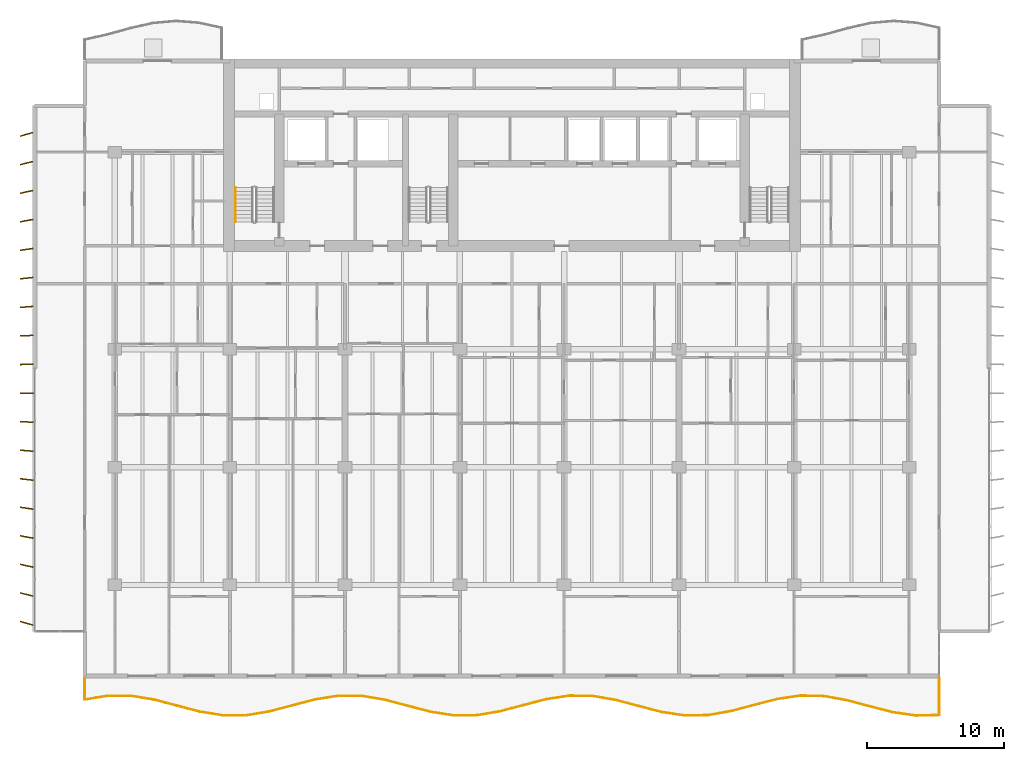
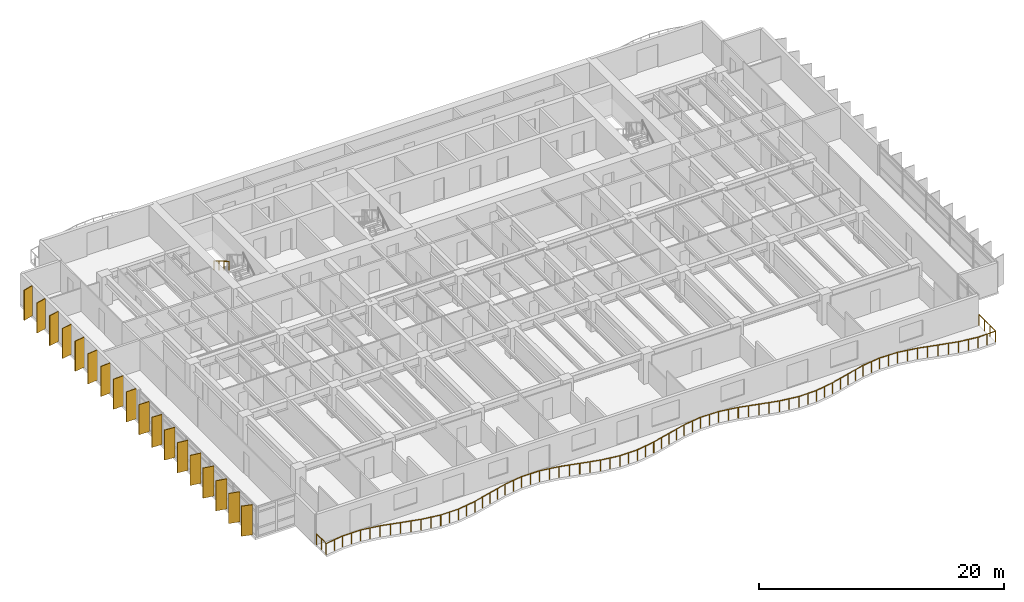
# One storey, part 13 of 16: 18 shading devices, 2 railings.
"""IFC4 building model written with IfcOpenShell, lengths in metres."""

import ifcopenshell
import ifcopenshell.guid

model = None  # the IFC model being written
_history = None  # IfcOwnerHistory: only IFC2X3 demands one
_inside = {}  # id of a spatial element -> (the spatial element, [elements in it])
_under = {}  # id of a project, library or spatial element -> (it, [spatial elements below it])
_declared = {}  # id of a project -> (the project, [libraries it declares])
_typed = {}  # id of a type object -> (the type object, [elements of that type])
_made_of = {}  # id of a material, layer set ... -> (it, [elements and type objects made of it])


def new_model(schema):
    """Start an empty IFC model of exactly this schema.

    Asked for "IFC4X3", IfcOpenShell would pick the latest addendum, in which some entities
    have other attributes; the version numbers below select the first issue.
    IFC2X3 requires an IfcOwnerHistory on every rooted entity: one is made here for all.
    """
    global model, _history
    if schema == "IFC4X3":
        model = ifcopenshell.file(schema_version=(4, 3, 0, 0))
    else:
        model = ifcopenshell.file(schema=schema)
    _inside.clear()
    _under.clear()
    _declared.clear()
    _typed.clear()
    _made_of.clear()
    _history = None
    if model.schema == "IFC2X3":
        org = make("IfcOrganization", Name="unknown")
        user = make(
            "IfcPersonAndOrganization",
            ThePerson=make("IfcPerson", FamilyName="unknown"),
            TheOrganization=org,
        )
        app = make(
            "IfcApplication",
            ApplicationDeveloper=org,
            Version="unknown",
            ApplicationFullName="unknown",
            ApplicationIdentifier="unknown",
        )
        _history = make(
            "IfcOwnerHistory",
            OwningUser=user,
            OwningApplication=app,
            ChangeAction="ADDED",
            CreationDate=0,
        )
    return model


def make(cls, **values):
    """One entity of the class cls with the attributes given. An attribute that is None is left unset."""
    return model.create_entity(
        cls, **{name: value for name, value in values.items() if value is not None}
    )


def rooted(cls, **values):
    """An entity with a GlobalId (a new one), such as an element, a storey or a relation."""
    return make(cls, GlobalId=ifcopenshell.guid.new(), OwnerHistory=_history, **values)


def si_unit(unit_type, name, prefix=None):
    """IfcSIUnit, for example si_unit("LENGTHUNIT", "METRE", prefix="MILLI")."""
    return make("IfcSIUnit", UnitType=unit_type, Prefix=prefix, Name=name)


def assignment(units):
    """IfcUnitAssignment: the units of a project."""
    return None if units is None else make("IfcUnitAssignment", Units=units)


def point(xyz):
    """IfcCartesianPoint."""
    return None if xyz is None else make("IfcCartesianPoint", Coordinates=xyz)


def direction(xyz):
    """IfcDirection."""
    return None if xyz is None else make("IfcDirection", DirectionRatios=xyz)


def frame(location, z_axis=None, x_axis=None):
    """IfcAxis2Placement3D, a coordinate frame: its origin and axes. An axis left out is left unset."""
    return make(
        "IfcAxis2Placement3D",
        Location=point(location),
        Axis=direction(z_axis),
        RefDirection=direction(x_axis),
    )


def frame_2d(location, x_axis=None):
    """IfcAxis2Placement2D, a coordinate frame in the plane: its origin and x axis."""
    return make(
        "IfcAxis2Placement2D", Location=point(location), RefDirection=direction(x_axis)
    )


def origin():
    """The frame at (0, 0, 0) with its axes left unset."""
    return frame((0.0, 0.0, 0.0))


def origin_2d():
    """The frame at (0, 0) in the plane with its x axis left unset."""
    return frame_2d((0.0, 0.0))


def place(relative_to, where):
    """IfcLocalPlacement: puts the frame where relative to a parent placement (None: the world)."""
    return make(
        "IfcLocalPlacement", PlacementRelTo=relative_to, RelativePlacement=where
    )


def context(
    kind, dimensions, precision=None, world=None, true_north=None, identifier=None
):
    """IfcGeometricRepresentationContext, for example the 3D "Model" context."""
    return make(
        "IfcGeometricRepresentationContext",
        ContextIdentifier=identifier,
        ContextType=kind,
        CoordinateSpaceDimension=dimensions,
        Precision=precision,
        WorldCoordinateSystem=world,
        TrueNorth=true_north,
    )


def subcontext(parent, identifier, kind, view, scale=None):
    """IfcGeometricRepresentationSubContext, for example "Body" below "Model"."""
    return make(
        "IfcGeometricRepresentationSubContext",
        ContextIdentifier=identifier,
        ContextType=kind,
        ParentContext=parent,
        TargetScale=scale,
        TargetView=view,
    )


def project(units=None, contexts=None):
    """IfcProject with its units and contexts."""
    return rooted(
        "IfcProject",
        Name="project",
        RepresentationContexts=contexts,
        UnitsInContext=assignment(units),
    )


def spatial(cls, under=None, at=None, **own):
    """A site, building, storey or space (cls), placed at a placement, below another one or the project."""
    s = rooted(cls, ObjectPlacement=at, **own)
    if under is not None:
        _under.setdefault(under.id(), (under, []))[1].append(s)
    return s


def profile(cls, at=None, kind="AREA", **sizes):
    """A parametric profile (cls). Its sizes go by their IFC names, for example OverallWidth=200.0."""
    return make(cls, ProfileType=kind, Position=at, **sizes)


def rectangle(**sizes):
    """IfcRectangleProfileDef."""
    return profile("IfcRectangleProfileDef", **sizes)


def circle(**sizes):
    """IfcCircleProfileDef."""
    return profile("IfcCircleProfileDef", **sizes)


def extrude(swept, where, along, depth):
    """IfcExtrudedAreaSolid: the profile swept, set in the frame where, extruded along a direction by depth."""
    return make(
        "IfcExtrudedAreaSolid",
        SweptArea=swept,
        Position=where,
        ExtrudedDirection=direction(along),
        Depth=depth,
    )


def shape(context_of_items, identifier, shape_type, items):
    """IfcShapeRepresentation: the items that make up one representation, for example the "Body"."""
    return make(
        "IfcShapeRepresentation",
        ContextOfItems=context_of_items,
        RepresentationIdentifier=identifier,
        RepresentationType=shape_type,
        Items=items,
    )


def material(Name=None, Category=None):
    """IfcMaterial."""
    return make("IfcMaterial", Name=Name, Category=Category)


def material_profile(
    of_material, cross_section, Name=None, Category=None, Priority=None
):
    """IfcMaterialProfile: a cross section and its material."""
    return make(
        "IfcMaterialProfile",
        Name=Name,
        Material=of_material,
        Profile=cross_section,
        Priority=Priority,
        Category=Category,
    )


def profile_set(profiles, Name=None, composite=None):
    """IfcMaterialProfileSet."""
    return make(
        "IfcMaterialProfileSet",
        Name=Name,
        MaterialProfiles=profiles,
        CompositeProfile=composite,
    )


def made_of(thing, what):
    """Note that an element or type object is made of a material, layer set ...; save() writes the relation."""
    if what is not None:
        _made_of.setdefault(what.id(), (what, []))[1].append(thing)
    return thing


def type_object(cls, material=None, **own):
    """A type object (cls), such as IfcWallType, which elements share."""
    return made_of(rooted(cls, **own), material)


def element(
    cls,
    number,
    at=None,
    inside=None,
    cuts=None,
    type_object=None,
    material=None,
    context=None,
    identifier="Body",
    shape_type=None,
    held_by="IfcProductDefinitionShape",
    body=None,
    shapes=None,
    **own,
):
    """One element of the class cls, such as IfcWall. Its Tag is "e" and its number.

    at: its placement. inside: the storey or other place that contains it. cuts: it is an
    opening in that element (IfcRelVoidsElement). A single representation is given by context,
    identifier, shape_type and body (its items); several are given by shapes. held_by: the class
    of the entity that holds the representations. save() writes the other relations.
    """
    e = rooted(cls, Tag="e%d" % number, ObjectPlacement=at, **own)
    if body is not None:
        shapes = [shape(context, identifier, shape_type, body)]
    if shapes is not None:
        e.Representation = make(held_by, Representations=shapes)
    if inside is not None:
        _inside.setdefault(inside.id(), (inside, []))[1].append(e)
    if cuts is not None:
        rooted(
            "IfcRelVoidsElement", RelatingBuildingElement=cuts, RelatedOpeningElement=e
        )
    if type_object is not None:
        _typed.setdefault(type_object.id(), (type_object, []))[1].append(e)
    return made_of(e, material)


def aggregate(whole, parts):
    """IfcRelAggregates: a whole, such as a stair, and the parts it consists of."""
    return rooted("IfcRelAggregates", RelatingObject=whole, RelatedObjects=parts)


def save(model, path):
    """Write the relations noted so far, then the file.

    IfcRelAggregates (storeys below a building ...), IfcRelContainedInSpatialStructure (elements
    in a storey), IfcRelDefinesByType, IfcRelAssociatesMaterial and IfcRelDeclares: one each for
    every whole, place, type object, material and project.
    """
    for whole, parts in _under.values():
        aggregate(whole, parts)
    for where, things in _inside.values():
        rooted(
            "IfcRelContainedInSpatialStructure",
            RelatedElements=things,
            RelatingStructure=where,
        )
    for kind, things in _typed.values():
        rooted("IfcRelDefinesByType", RelatedObjects=things, RelatingType=kind)
    for what, things in _made_of.values():
        rooted("IfcRelAssociatesMaterial", RelatedObjects=things, RelatingMaterial=what)
    for by, libraries in _declared.values():
        rooted("IfcRelDeclares", RelatingContext=by, RelatedDefinitions=libraries)
    model.write(path)


model = new_model("IFC4")

# Units and contexts
model_context = context("Model", 3, precision=1e-05, world=origin(), true_north=direction((0.0, 1.0)))
body_context = subcontext(model_context, "Body", "Model", "MODEL_VIEW")
ifc_project = project(units=[si_unit("LENGTHUNIT", "METRE"), si_unit("AREAUNIT", "SQUARE_METRE"), si_unit("VOLUMEUNIT", "CUBIC_METRE"), si_unit("PLANEANGLEUNIT", "RADIAN"), si_unit("MASSUNIT", "GRAM", prefix="KILO")], contexts=[model_context])

# Site, building, storey
site_placement = place(None, origin())
site = spatial("IfcSite", under=ifc_project, at=site_placement, CompositionType="ELEMENT")
building_placement = place(site_placement, origin())
building = spatial("IfcBuilding", under=site, at=building_placement, Name="Caelmar Bay Residences", CompositionType="ELEMENT")
storey_placement = place(building_placement, frame((0.0, 0.0, 148.800048828125)))
storey = spatial("IfcBuildingStorey", under=building, at=storey_placement, Name="L41", CompositionType="ELEMENT", Elevation=148.800048828125)

# Railings
ifc_material_1 = material(Name="Anodised bronze handrail with laminated hurricane glass infill", Category="glass")
railing_type_1 = type_object("IfcRailingType", Name="RL-BAL-1100", PredefinedType="BALUSTRADE", material=ifc_material_1)
railing_1_placement = place(storey_placement, frame((7.699951171875, 5.39990234375, 0.0)))
element("IfcRailing", 1, at=railing_1_placement, inside=storey, type_object=railing_type_1, Name="L41 south Balcony Balustrade", PredefinedType="BALUSTRADE", context=body_context, shape_type="SweptSolid", body=[
    extrude(circle(Radius=0.02392578125, at=origin_2d()), frame((0.0, 0.0, 1.076171875), z_axis=(0.0, -1.0, 0.0), x_axis=(1.0, 0.0, 0.0)), (0.0, 0.0, 1.0), 1.5791015625),
    extrude(circle(Radius=0.02392578125, at=origin_2d()), frame((0.0, -1.5791015625, 1.076171875), z_axis=(0.987132923868, 0.159901815548, 0.0), x_axis=(-0.159901815548, 0.987132923868, 0.0)), (0.0, 0.0, 1.0), 1.70849609375),
    extrude(circle(Radius=0.02392578125, at=origin_2d()), frame((1.6865234375, -1.305908203125, 1.076171875), z_axis=(0.999999486594, -0.001013317372, 0.0), x_axis=(0.001013317372, 0.999999486594, 0.0)), (0.0, 0.0, 1.0), 1.6865234375),
    extrude(circle(Radius=0.02392578125, at=origin_2d()), frame((3.373046875, -1.3076171875, 1.076171875), z_axis=(0.986883688371, -0.161432913703, 0.0), x_axis=(0.161432913703, 0.986883688371, 0.0)), (0.0, 0.0, 1.0), 1.708984375),
    extrude(circle(Radius=0.02392578125, at=origin_2d()), frame((5.0595703125, -1.58349609375, 1.076171875), z_axis=(0.967096298002, -0.254410594103, 0.0), x_axis=(0.254410594103, 0.967096298002, 0.0)), (0.0, 0.0, 1.0), 1.74365234375),
    extrude(circle(Radius=0.02392578125, at=origin_2d()), frame((6.745849609375, -2.027099609375, 1.076171875), z_axis=(0.967483280778, -0.252934974679, 0.0), x_axis=(0.252934974679, 0.967483280778, 0.0)), (0.0, 0.0, 1.0), 1.7431640625),
    extrude(circle(Radius=0.02392578125, at=origin_2d()), frame((8.432373046875, -2.468017578125, 1.076171875), z_axis=(0.987558114501, -0.157254476831, 0.0), x_axis=(0.157254476831, 0.987558114501, 0.0)), (0.0, 0.0, 1.0), 1.707763671875),
    extrude(circle(Radius=0.02392578125, at=origin_2d()), frame((10.118896484375, -2.736572265625, 1.076171875), z_axis=(0.999990570217, 0.004342750015, 0.0), x_axis=(-0.004342750015, 0.999990570217, 0.0)), (0.0, 0.0, 1.0), 1.6865234375),
    extrude(circle(Radius=0.02392578125, at=origin_2d()), frame((11.805419921875, -2.729248046875, 1.076171875), z_axis=(0.986471004966, 0.163935830009, 0.0), x_axis=(-0.163935830009, 0.986471004966, 0.0)), (0.0, 0.0, 1.0), 1.709716796875),
    extrude(circle(Radius=0.02392578125, at=origin_2d()), frame((13.491943359375, -2.448974609375, 1.076171875), z_axis=(0.966829344983, 0.255423212883, 0.0), x_axis=(-0.255423212883, 0.966829344983, 0.0)), (0.0, 0.0, 1.0), 1.744384765625),
    extrude(circle(Radius=0.02392578125, at=origin_2d()), frame((15.178466796875, -2.00341796875, 1.076171875), z_axis=(0.967756968159, 0.251885788759, 0.0), x_axis=(-0.251885788759, 0.967756968159, 0.0)), (0.0, 0.0, 1.0), 1.74267578125),
    extrude(circle(Radius=0.02392578125, at=origin_2d()), frame((16.864990234375, -1.564453125, 1.076171875), z_axis=(0.987998395737, 0.154464138303, 0.0), x_axis=(-0.154464138303, 0.987998395737, 0.0)), (0.0, 0.0, 1.0), 1.70703125),
    extrude(circle(Radius=0.02392578125, at=origin_2d()), frame((18.551513671875, -1.30078125, 1.076171875), z_axis=(0.999970560959, -0.00767314894, 0.0), x_axis=(0.00767314894, 0.999970560959, 0.0)), (0.0, 0.0, 1.0), 1.686279296875),
    extrude(circle(Radius=0.02392578125, at=origin_2d()), frame((20.23779296875, -1.313720703125, 1.076171875), z_axis=(0.986052329388, -0.16643558426, 0.0), x_axis=(0.16643558426, 0.986052329388, 0.0)), (0.0, 0.0, 1.0), 1.71044921875),
    extrude(circle(Radius=0.02392578125, at=origin_2d()), frame((21.92431640625, -1.598388671875, 1.076171875), z_axis=(0.966621694797, -0.25620792171, 0.0), x_axis=(0.25620792171, 0.966621694797, 0.0)), (0.0, 0.0, 1.0), 1.744873046875),
    extrude(circle(Radius=0.02392578125, at=origin_2d()), frame((23.61083984375, -2.04541015625, 1.076171875), z_axis=(0.968029671356, -0.250835713915, 0.0), x_axis=(0.250835713915, 0.968029671356, 0.0)), (0.0, 0.0, 1.0), 1.7421875),
    extrude(circle(Radius=0.02392578125, at=origin_2d()), frame((25.29736328125, -2.482421875, 1.076171875), z_axis=(0.988388232703, -0.151949667506, 0.0), x_axis=(0.151949667506, 0.988388232703, 0.0)), (0.0, 0.0, 1.0), 1.706298828125),
    extrude(circle(Radius=0.02392578125, at=origin_2d()), frame((26.98388671875, -2.74169921875, 1.076171875), z_axis=(0.999937883593, 0.011145804435, 0.0), x_axis=(-0.011145804435, 0.999937883593, 0.0)), (0.0, 0.0, 1.0), 1.6865234375),
    extrude(circle(Radius=0.02392578125, at=origin_2d()), frame((28.67041015625, -2.722900390625, 1.076171875), z_axis=(0.985627685391, 0.168932133686, 0.0), x_axis=(-0.168932133686, 0.985627685391, 0.0)), (0.0, 0.0, 1.0), 1.711181640625),
    extrude(circle(Radius=0.02392578125, at=origin_2d()), frame((30.35693359375, -2.433837890625, 1.076171875), z_axis=(0.966404256029, 0.257026873943, 0.0), x_axis=(-0.257026873943, 0.966404256029, 0.0)), (0.0, 0.0, 1.0), 1.744873046875),
    extrude(circle(Radius=0.02392578125, at=origin_2d()), frame((32.043212890625, -1.9853515625, 1.076171875), z_axis=(0.968301387607, 0.249784752854, 0.0), x_axis=(-0.249784752854, 0.968301387607, 0.0)), (0.0, 0.0, 1.0), 1.74169921875),
    extrude(circle(Radius=0.02392578125, at=origin_2d()), frame((33.729736328125, -1.55029296875, 1.076171875), z_axis=(0.988793107304, 0.149292300365, 0.0), x_axis=(-0.149292300365, 0.988793107304, 0.0)), (0.0, 0.0, 1.0), 1.70556640625),
    extrude(circle(Radius=0.02392578125, at=origin_2d()), frame((35.416259765625, -1.295654296875, 1.076171875), z_axis=(0.999895239612, -0.014474453382, 0.0), x_axis=(0.014474453382, 0.999895239612, 0.0)), (0.0, 0.0, 1.0), 1.686767578125),
    extrude(circle(Radius=0.02392578125, at=origin_2d()), frame((37.102783203125, -1.320068359375, 1.076171875), z_axis=(0.985197097009, -0.171425435814, 0.0), x_axis=(0.171425435814, 0.985197097009, 0.0)), (0.0, 0.0, 1.0), 1.7119140625),
    extrude(circle(Radius=0.02392578125, at=origin_2d()), frame((38.789306640625, -1.613525390625, 1.076171875), z_axis=(0.966204754092, -0.257775819599, 0.0), x_axis=(0.257775819599, 0.966204754092, 0.0)), (0.0, 0.0, 1.0), 1.74560546875),
    extrude(circle(Radius=0.02392578125, at=origin_2d()), frame((40.475830078125, -2.0634765625, 1.076171875), z_axis=(0.968572114161, -0.248732908298, 0.0), x_axis=(0.248732908298, 0.968572114161, 0.0)), (0.0, 0.0, 1.0), 1.7412109375),
    extrude(circle(Radius=0.02392578125, at=origin_2d()), frame((42.162353515625, -2.49658203125, 1.076171875), z_axis=(0.989208844388, -0.146512327756, 0.0), x_axis=(0.146512327756, 0.989208844388, 0.0)), (0.0, 0.0, 1.0), 1.70458984375),
    extrude(circle(Radius=0.02392578125, at=origin_2d()), frame((43.8486328125, -2.746337890625, 1.076171875), z_axis=(0.999844086604, 0.017657929729, 0.0), x_axis=(-0.017657929729, 0.999844086604, 0.0)), (0.0, 0.0, 1.0), 1.686767578125),
    extrude(circle(Radius=0.02392578125, at=origin_2d()), frame((45.53515625, -2.716552734375, 1.076171875), z_axis=(0.984736165002, 0.174053685215, 0.0), x_axis=(-0.174053685215, 0.984736165002, 0.0)), (0.0, 0.0, 1.0), 1.712646484375),
    extrude(circle(Radius=0.02392578125, at=origin_2d()), frame((47.2216796875, -2.41845703125, 1.076171875), z_axis=(0.966030385071, 0.258428510656, 0.0), x_axis=(-0.258428510656, 0.966030385071, 0.0)), (0.0, 0.0, 1.0), 1.745849609375),
    extrude(circle(Radius=0.02392578125, at=origin_2d()), frame((48.908203125, -1.96728515625, 1.076171875), z_axis=(0.968841848269, 0.247680182983, 0.0), x_axis=(-0.247680182983, 0.968841848269, 0.0)), (0.0, 0.0, 1.0), 1.74072265625),
    extrude(circle(Radius=0.02392578125, at=origin_2d()), frame((50.5947265625, -1.5361328125, 1.076171875), z_axis=(0.989623137392, 0.143687320035, 0.0), x_axis=(-0.143687320035, 0.989623137392, 0.0)), (0.0, 0.0, 1.0), 1.7041015625),
    extrude(circle(Radius=0.02392578125, at=origin_2d()), frame((52.28125, -1.291259765625, 1.076171875), z_axis=(0.999779715685, -0.020988570837, 0.0), x_axis=(0.020988570837, 0.999779715685, 0.0)), (0.0, 0.0, 1.0), 1.686767578125),
    extrude(circle(Radius=0.02392578125, at=origin_2d()), frame((53.967529296875, -1.32666015625, 1.076171875), z_axis=(0.984318184636, -0.176402129789, 0.0), x_axis=(0.176402129789, 0.984318184636, 0.0)), (0.0, 0.0, 1.0), 1.71337890625),
    extrude(circle(Radius=0.02392578125, at=origin_2d()), frame((55.654052734375, -1.62890625, 1.076171875), z_axis=(0.965785634121, -0.259341683743, 0.0), x_axis=(0.259341683743, 0.965785634121, 0.0)), (0.0, 0.0, 1.0), 1.746337890625),
    extrude(circle(Radius=0.02392578125, at=origin_2d()), frame((57.340576171875, -2.081787109375, 1.076171875), z_axis=(0.969177616103, -0.246363041962, 0.0), x_axis=(0.246363041962, 0.969177616103, 0.0)), (0.0, 0.0, 1.0), 1.740234375),
    extrude(circle(Radius=0.02392578125, at=origin_2d()), frame((59.027099609375, -2.510498046875, 1.076171875), z_axis=(0.990006737563, -0.141020068003, 0.0), x_axis=(0.141020068003, 0.990006737563, 0.0)), (0.0, 0.0, 1.0), 1.70361328125),
    extrude(circle(Radius=0.02392578125, at=origin_2d()), frame((60.713623046875, -2.750732421875, 1.076171875), z_axis=(0.999700881094, 0.024457071353, 0.0), x_axis=(-0.024457071353, 0.999700881094, 0.0)), (0.0, 0.0, 1.0), 1.68701171875),
    extrude(circle(Radius=0.02392578125, at=origin_2d()), frame((62.400146484375, -2.70947265625, 1.076171875), z_axis=(0.0, 1.0, 0.0), x_axis=(-1.0, 0.0, 0.0)), (0.0, 0.0, 1.0), 2.70947265625),
    extrude(circle(Radius=0.02099609375, at=origin_2d()), origin(), (0.0, 0.0, 1.0), 1.052001953125),
    extrude(circle(Radius=0.02099609375, at=origin_2d()), frame((0.0, -0.78955078125, 0.0)), (0.0, 0.0, 1.0), 1.052001953125),
    extrude(circle(Radius=0.02099609375, at=origin_2d()), frame((0.0, -1.5791015625, 0.0)), (0.0, 0.0, 1.0), 1.052001953125),
    extrude(circle(Radius=0.02099609375, at=origin_2d()), frame((0.84326171875, -1.4423828125, 0.0)), (0.0, 0.0, 1.0), 1.052001953125),
    extrude(circle(Radius=0.02099609375, at=origin_2d()), frame((1.6865234375, -1.305908203125, 0.0)), (0.0, 0.0, 1.0), 1.052001953125),
    extrude(circle(Radius=0.02099609375, at=origin_2d()), frame((2.52978515625, -1.306640625, 0.0)), (0.0, 0.0, 1.0), 1.052001953125),
    extrude(circle(Radius=0.02099609375, at=origin_2d()), frame((3.373046875, -1.3076171875, 0.0)), (0.0, 0.0, 1.0), 1.052001953125),
    extrude(circle(Radius=0.02099609375, at=origin_2d()), frame((4.21630859375, -1.445556640625, 0.0)), (0.0, 0.0, 1.0), 1.052001953125),
    extrude(circle(Radius=0.02099609375, at=origin_2d()), frame((5.0595703125, -1.58349609375, 0.0)), (0.0, 0.0, 1.0), 1.052001953125),
    extrude(circle(Radius=0.02099609375, at=origin_2d()), frame((5.90283203125, -1.80517578125, 0.0)), (0.0, 0.0, 1.0), 1.052001953125),
    extrude(circle(Radius=0.02099609375, at=origin_2d()), frame((6.745849609375, -2.027099609375, 0.0)), (0.0, 0.0, 1.0), 1.052001953125),
    extrude(circle(Radius=0.02099609375, at=origin_2d()), frame((7.589111328125, -2.24755859375, 0.0)), (0.0, 0.0, 1.0), 1.052001953125),
    extrude(circle(Radius=0.02099609375, at=origin_2d()), frame((8.432373046875, -2.468017578125, 0.0)), (0.0, 0.0, 1.0), 1.052001953125),
    extrude(circle(Radius=0.02099609375, at=origin_2d()), frame((9.275634765625, -2.602294921875, 0.0)), (0.0, 0.0, 1.0), 1.052001953125),
    extrude(circle(Radius=0.02099609375, at=origin_2d()), frame((10.118896484375, -2.736572265625, 0.0)), (0.0, 0.0, 1.0), 1.052001953125),
    extrude(circle(Radius=0.02099609375, at=origin_2d()), frame((10.962158203125, -2.73291015625, 0.0)), (0.0, 0.0, 1.0), 1.052001953125),
    extrude(circle(Radius=0.02099609375, at=origin_2d()), frame((11.805419921875, -2.729248046875, 0.0)), (0.0, 0.0, 1.0), 1.052001953125),
    extrude(circle(Radius=0.02099609375, at=origin_2d()), frame((12.648681640625, -2.589111328125, 0.0)), (0.0, 0.0, 1.0), 1.052001953125),
    extrude(circle(Radius=0.02099609375, at=origin_2d()), frame((13.491943359375, -2.448974609375, 0.0)), (0.0, 0.0, 1.0), 1.052001953125),
    extrude(circle(Radius=0.02099609375, at=origin_2d()), frame((14.335205078125, -2.22607421875, 0.0)), (0.0, 0.0, 1.0), 1.052001953125),
    extrude(circle(Radius=0.02099609375, at=origin_2d()), frame((15.178466796875, -2.00341796875, 0.0)), (0.0, 0.0, 1.0), 1.052001953125),
    extrude(circle(Radius=0.02099609375, at=origin_2d()), frame((16.021728515625, -1.783935546875, 0.0)), (0.0, 0.0, 1.0), 1.052001953125),
    extrude(circle(Radius=0.02099609375, at=origin_2d()), frame((16.864990234375, -1.564453125, 0.0)), (0.0, 0.0, 1.0), 1.052001953125),
    extrude(circle(Radius=0.02099609375, at=origin_2d()), frame((17.708251953125, -1.4326171875, 0.0)), (0.0, 0.0, 1.0), 1.052001953125),
    extrude(circle(Radius=0.02099609375, at=origin_2d()), frame((18.551513671875, -1.30078125, 0.0)), (0.0, 0.0, 1.0), 1.052001953125),
    extrude(circle(Radius=0.02099609375, at=origin_2d()), frame((19.39453125, -1.30712890625, 0.0)), (0.0, 0.0, 1.0), 1.052001953125),
    extrude(circle(Radius=0.02099609375, at=origin_2d()), frame((20.23779296875, -1.313720703125, 0.0)), (0.0, 0.0, 1.0), 1.052001953125),
    extrude(circle(Radius=0.02099609375, at=origin_2d()), frame((21.0810546875, -1.4560546875, 0.0)), (0.0, 0.0, 1.0), 1.052001953125),
    extrude(circle(Radius=0.02099609375, at=origin_2d()), frame((21.92431640625, -1.598388671875, 0.0)), (0.0, 0.0, 1.0), 1.052001953125),
    extrude(circle(Radius=0.02099609375, at=origin_2d()), frame((22.767578125, -1.82177734375, 0.0)), (0.0, 0.0, 1.0), 1.052001953125),
    extrude(circle(Radius=0.02099609375, at=origin_2d()), frame((23.61083984375, -2.04541015625, 0.0)), (0.0, 0.0, 1.0), 1.052001953125),
    extrude(circle(Radius=0.02099609375, at=origin_2d()), frame((24.4541015625, -2.263916015625, 0.0)), (0.0, 0.0, 1.0), 1.052001953125),
    extrude(circle(Radius=0.02099609375, at=origin_2d()), frame((25.29736328125, -2.482421875, 0.0)), (0.0, 0.0, 1.0), 1.052001953125),
    extrude(circle(Radius=0.02099609375, at=origin_2d()), frame((26.140625, -2.612060546875, 0.0)), (0.0, 0.0, 1.0), 1.052001953125),
    extrude(circle(Radius=0.02099609375, at=origin_2d()), frame((26.98388671875, -2.74169921875, 0.0)), (0.0, 0.0, 1.0), 1.052001953125),
    extrude(circle(Radius=0.02099609375, at=origin_2d()), frame((27.8271484375, -2.732421875, 0.0)), (0.0, 0.0, 1.0), 1.052001953125),
    extrude(circle(Radius=0.02099609375, at=origin_2d()), frame((28.67041015625, -2.722900390625, 0.0)), (0.0, 0.0, 1.0), 1.052001953125),
    extrude(circle(Radius=0.02099609375, at=origin_2d()), frame((29.513671875, -2.578369140625, 0.0)), (0.0, 0.0, 1.0), 1.052001953125),
    extrude(circle(Radius=0.02099609375, at=origin_2d()), frame((30.35693359375, -2.433837890625, 0.0)), (0.0, 0.0, 1.0), 1.052001953125),
    extrude(circle(Radius=0.02099609375, at=origin_2d()), frame((31.2001953125, -2.20947265625, 0.0)), (0.0, 0.0, 1.0), 1.052001953125),
    extrude(circle(Radius=0.02099609375, at=origin_2d()), frame((32.043212890625, -1.9853515625, 0.0)), (0.0, 0.0, 1.0), 1.052001953125),
    extrude(circle(Radius=0.02099609375, at=origin_2d()), frame((32.886474609375, -1.767822265625, 0.0)), (0.0, 0.0, 1.0), 1.052001953125),
    extrude(circle(Radius=0.02099609375, at=origin_2d()), frame((33.729736328125, -1.55029296875, 0.0)), (0.0, 0.0, 1.0), 1.052001953125),
    extrude(circle(Radius=0.02099609375, at=origin_2d()), frame((34.572998046875, -1.4228515625, 0.0)), (0.0, 0.0, 1.0), 1.052001953125),
    extrude(circle(Radius=0.02099609375, at=origin_2d()), frame((35.416259765625, -1.295654296875, 0.0)), (0.0, 0.0, 1.0), 1.052001953125),
    extrude(circle(Radius=0.02099609375, at=origin_2d()), frame((36.259521484375, -1.307861328125, 0.0)), (0.0, 0.0, 1.0), 1.052001953125),
    extrude(circle(Radius=0.02099609375, at=origin_2d()), frame((37.102783203125, -1.320068359375, 0.0)), (0.0, 0.0, 1.0), 1.052001953125),
    extrude(circle(Radius=0.02099609375, at=origin_2d()), frame((37.946044921875, -1.466796875, 0.0)), (0.0, 0.0, 1.0), 1.052001953125),
    extrude(circle(Radius=0.02099609375, at=origin_2d()), frame((38.789306640625, -1.613525390625, 0.0)), (0.0, 0.0, 1.0), 1.052001953125),
    extrude(circle(Radius=0.02099609375, at=origin_2d()), frame((39.632568359375, -1.83837890625, 0.0)), (0.0, 0.0, 1.0), 1.052001953125),
    extrude(circle(Radius=0.02099609375, at=origin_2d()), frame((40.475830078125, -2.0634765625, 0.0)), (0.0, 0.0, 1.0), 1.052001953125),
    extrude(circle(Radius=0.02099609375, at=origin_2d()), frame((41.319091796875, -2.280029296875, 0.0)), (0.0, 0.0, 1.0), 1.052001953125),
    extrude(circle(Radius=0.02099609375, at=origin_2d()), frame((42.162353515625, -2.49658203125, 0.0)), (0.0, 0.0, 1.0), 1.052001953125),
    extrude(circle(Radius=0.02099609375, at=origin_2d()), frame((43.00537109375, -2.62158203125, 0.0)), (0.0, 0.0, 1.0), 1.052001953125),
    extrude(circle(Radius=0.02099609375, at=origin_2d()), frame((43.8486328125, -2.746337890625, 0.0)), (0.0, 0.0, 1.0), 1.052001953125),
    extrude(circle(Radius=0.02099609375, at=origin_2d()), frame((44.69189453125, -2.7314453125, 0.0)), (0.0, 0.0, 1.0), 1.052001953125),
    extrude(circle(Radius=0.02099609375, at=origin_2d()), frame((45.53515625, -2.716552734375, 0.0)), (0.0, 0.0, 1.0), 1.052001953125),
    extrude(circle(Radius=0.02099609375, at=origin_2d()), frame((46.37841796875, -2.5673828125, 0.0)), (0.0, 0.0, 1.0), 1.052001953125),
    extrude(circle(Radius=0.02099609375, at=origin_2d()), frame((47.2216796875, -2.41845703125, 0.0)), (0.0, 0.0, 1.0), 1.052001953125),
    extrude(circle(Radius=0.02099609375, at=origin_2d()), frame((48.06494140625, -2.19287109375, 0.0)), (0.0, 0.0, 1.0), 1.052001953125),
    extrude(circle(Radius=0.02099609375, at=origin_2d()), frame((48.908203125, -1.96728515625, 0.0)), (0.0, 0.0, 1.0), 1.052001953125),
    extrude(circle(Radius=0.02099609375, at=origin_2d()), frame((49.75146484375, -1.751708984375, 0.0)), (0.0, 0.0, 1.0), 1.052001953125),
    extrude(circle(Radius=0.02099609375, at=origin_2d()), frame((50.5947265625, -1.5361328125, 0.0)), (0.0, 0.0, 1.0), 1.052001953125),
    extrude(circle(Radius=0.02099609375, at=origin_2d()), frame((51.43798828125, -1.41357421875, 0.0)), (0.0, 0.0, 1.0), 1.052001953125),
    extrude(circle(Radius=0.02099609375, at=origin_2d()), frame((52.28125, -1.291259765625, 0.0)), (0.0, 0.0, 1.0), 1.052001953125),
    extrude(circle(Radius=0.02099609375, at=origin_2d()), frame((53.12451171875, -1.30908203125, 0.0)), (0.0, 0.0, 1.0), 1.052001953125),
    extrude(circle(Radius=0.02099609375, at=origin_2d()), frame((53.967529296875, -1.32666015625, 0.0)), (0.0, 0.0, 1.0), 1.052001953125),
    extrude(circle(Radius=0.02099609375, at=origin_2d()), frame((54.810791015625, -1.477783203125, 0.0)), (0.0, 0.0, 1.0), 1.052001953125),
    extrude(circle(Radius=0.02099609375, at=origin_2d()), frame((55.654052734375, -1.62890625, 0.0)), (0.0, 0.0, 1.0), 1.052001953125),
    extrude(circle(Radius=0.02099609375, at=origin_2d()), frame((56.497314453125, -1.85546875, 0.0)), (0.0, 0.0, 1.0), 1.052001953125),
    extrude(circle(Radius=0.02099609375, at=origin_2d()), frame((57.340576171875, -2.081787109375, 0.0)), (0.0, 0.0, 1.0), 1.052001953125),
    extrude(circle(Radius=0.02099609375, at=origin_2d()), frame((58.183837890625, -2.296142578125, 0.0)), (0.0, 0.0, 1.0), 1.052001953125),
    extrude(circle(Radius=0.02099609375, at=origin_2d()), frame((59.027099609375, -2.510498046875, 0.0)), (0.0, 0.0, 1.0), 1.052001953125),
    extrude(circle(Radius=0.02099609375, at=origin_2d()), frame((59.870361328125, -2.630615234375, 0.0)), (0.0, 0.0, 1.0), 1.052001953125),
    extrude(circle(Radius=0.02099609375, at=origin_2d()), frame((60.713623046875, -2.750732421875, 0.0)), (0.0, 0.0, 1.0), 1.052001953125),
    extrude(circle(Radius=0.02099609375, at=origin_2d()), frame((61.556884765625, -2.72998046875, 0.0)), (0.0, 0.0, 1.0), 1.052001953125),
    extrude(circle(Radius=0.02099609375, at=origin_2d()), frame((62.400146484375, -2.70947265625, 0.0)), (0.0, 0.0, 1.0), 1.052001953125),
    extrude(circle(Radius=0.02099609375, at=origin_2d()), frame((62.400146484375, -1.806396484375, 0.0)), (0.0, 0.0, 1.0), 1.052001953125),
    extrude(circle(Radius=0.02099609375, at=origin_2d()), frame((62.400146484375, -0.903076171875, 0.0)), (0.0, 0.0, 1.0), 1.052001953125),
    extrude(circle(Radius=0.02099609375, at=origin_2d()), frame((62.400146484375, 0.0, 0.0)), (0.0, 0.0, 1.0), 1.052001953125),
])
ifc_material_2 = material(Name="Brushed bronze stainless-steel tubular handrail 900 mm", Category="steel")
railing_type_2 = type_object("IfcRailingType", Name="RL-HND-900", PredefinedType="HANDRAIL", material=ifc_material_2)
railing_2_placement = place(storey_placement, frame((18.699951171875, 41.219970703125, 1.81494140625)))
element("IfcRailing", 2, at=railing_2_placement, inside=storey, type_object=railing_type_2, Name="L41 ST1 stair handrail 2", PredefinedType="HANDRAIL", context=body_context, shape_type="SweptSolid", body=[
    extrude(circle(Radius=0.02392578125, at=origin_2d()), frame((0.0, 0.0, 0.8759765625), z_axis=(0.0, -0.86152411907, 0.507716645641), x_axis=(1.0, 0.0, 0.0)), (0.0, 0.0, 1.0), 2.925048828125),
    extrude(circle(Radius=0.02099609375, at=origin_2d()), origin(), (0.0, 0.0, 1.0), 0.851806640625),
    extrude(circle(Radius=0.02099609375, at=origin_2d()), frame((0.0, -0.840087890625, 0.4951171875)), (0.0, 0.0, 1.0), 0.851806640625),
    extrude(circle(Radius=0.02099609375, at=origin_2d()), frame((0.0, -1.679931640625, 0.989990234375)), (0.0, 0.0, 1.0), 0.851806640625),
    extrude(circle(Radius=0.02099609375, at=origin_2d()), frame((0.0, -2.52001953125, 1.485107421875)), (0.0, 0.0, 1.0), 0.851806640625),
])

# Shading devices
ifc_material_3 = material(Name="Anodised architectural bronze aluminium 6063-T6", Category="aluminium")
ifc_material_profile = material_profile(ifc_material_3, rectangle(XDim=0.074951171875, YDim=0.949951171875, at=origin_2d()), Name="BRONZE-FIN-75X950")
ifc_profile_set = profile_set([ifc_material_profile], Name="Anodised architectural bronze aluminium 6063-T6")
shading_device_type = type_object("IfcShadingDeviceType", Name="SHD-FIN-950", PredefinedType="USERDEFINED", material=ifc_profile_set)
for number, where, z_axis, x_axis, name in (
    (3, (3.449951171875, 9.39990234375, 0.0), (0.0, 0.0, 1.0), (0.275637355817, 0.961261695938, 0.0), "L41 West Bronze Solar Fin 1"),
    (4, (3.449951171875, 11.5, 0.0), (0.0, 0.0, 1.0), (0.243953546137, 0.969786918517, 0.0), "L41 West Bronze Solar Fin 2"),
    (5, (3.449951171875, 13.60009765625, 0.0), (0.0, 0.0, 1.0), (0.212007109922, 0.977268123568, 0.0), "L41 West Bronze Solar Fin 3"),
    (6, (3.449951171875, 15.699951171875, 0.0), (0.0, 0.0, 1.0), (0.179660748593, 0.98372862895, 0.0), "L41 West Bronze Solar Fin 4"),
    (7, (3.449951171875, 17.800048828125, 0.0), (0.0, 0.0, 1.0), (0.147291543397, 0.989093120613, 0.0), "L41 West Bronze Solar Fin 5"),
    (8, (3.449951171875, 19.89990234375, 0.0), (0.0, 0.0, 1.0), (0.114763772489, 0.993392810787, 0.0), "L41 West Bronze Solar Fin 6"),
    (9, (3.449951171875, 22.0, 0.0), (0.0, 0.0, 1.0), (0.08211245342, 0.996623070671, 0.0), "L41 West Bronze Solar Fin 7"),
    (10, (3.449951171875, 24.10009765625, 0.0), (0.0, 0.0, 1.0), (0.049198415926, 0.998789024705, 0.0), "L41 West Bronze Solar Fin 8"),
    (11, (3.449951171875, 26.199951171875, 0.0), (0.0, 0.0, 1.0), (0.016405359001, 0.999865423043, 0.0), "L41 West Bronze Solar Fin 9"),
    (12, (3.449951171875, 28.300048828125, 0.0), (0.0, 0.0, 1.0), (-0.016405359001, 0.999865423043, 0.0), "L41 West Bronze Solar Fin 10"),
    (13, (3.449951171875, 30.39990234375, 0.0), (0.0, 0.0, 1.0), (-0.049198415926, 0.998789024705, 0.0), "L41 West Bronze Solar Fin 11"),
    (14, (3.449951171875, 32.5, 0.0), (0.0, 0.0, 1.0), (-0.08211245342, 0.996623070671, 0.0), "L41 West Bronze Solar Fin 12"),
    (15, (3.449951171875, 34.60009765625, 0.0), (0.0, 0.0, 1.0), (-0.114763772489, 0.993392810787, 0.0), "L41 West Bronze Solar Fin 13"),
    (16, (3.449951171875, 36.699951171875, 0.0), (0.0, 0.0, 1.0), (-0.147291543397, 0.989093120613, 0.0), "L41 West Bronze Solar Fin 14"),
    (17, (3.449951171875, 38.800048828125, 0.0), (0.0, 0.0, 1.0), (-0.179660748593, 0.98372862895, 0.0), "L41 West Bronze Solar Fin 15"),
    (18, (3.449951171875, 40.89990234375, 0.0), (0.0, 0.0, 1.0), (-0.212007109922, 0.977268123568, 0.0), "L41 West Bronze Solar Fin 16"),
    (19, (3.449951171875, 43.0, 0.0), (0.0, 0.0, 1.0), (-0.243953546137, 0.969786918517, 0.0), "L41 West Bronze Solar Fin 17"),
    (20, (3.449951171875, 45.10009765625, 0.0), (0.0, 0.0, 1.0), (-0.275637355817, 0.961261695938, 0.0), "L41 West Bronze Solar Fin 18"),
):
    element("IfcShadingDevice", number, at=place(storey_placement, frame(where, z_axis=z_axis, x_axis=x_axis)), inside=storey, type_object=shading_device_type, Name=name, ObjectType="FIN", PredefinedType="USERDEFINED", context=body_context, shape_type="SweptSolid", body=[
        extrude(rectangle(XDim=0.074951171875, YDim=0.949951171875, at=origin_2d()), origin(), (0.0, 0.0, 1.0), 3.0),
    ])

save(model, "model.ifc")
